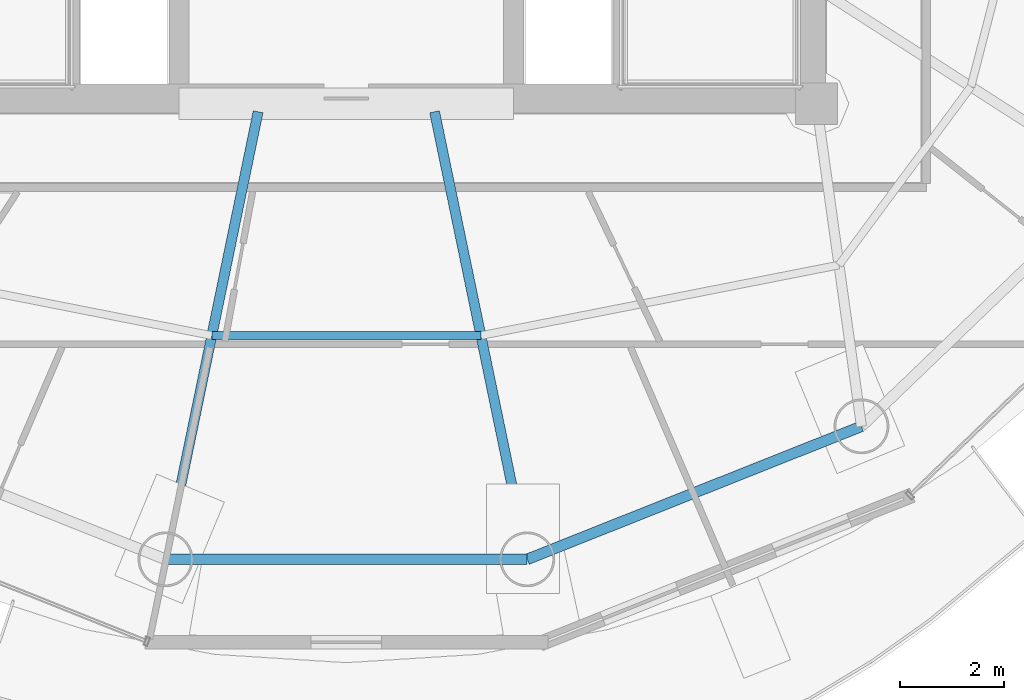
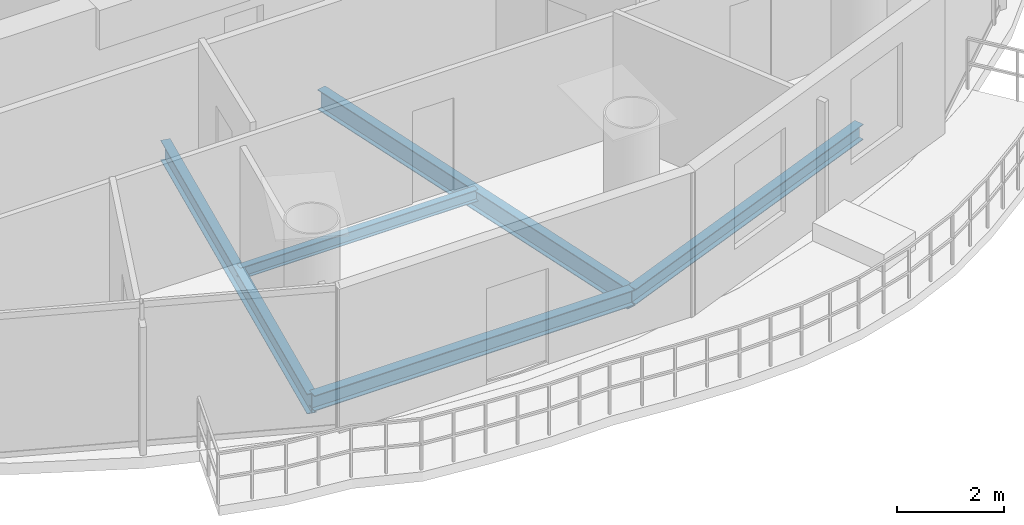
# One storey, part 5 of 23: 5 beams.
"""IFC4 building model written with IfcOpenShell, lengths in metres."""

from ifc_helpers import new_model, si_unit, direction, frame, origin, origin_2d, place, context, subcontext, project, spatial, i_section, extrude, material, material_profile, profile_set, type_object, element, save


model = new_model("IFC4")

# Units and contexts
model_context = context("Model", 3, precision=1e-05, world=origin(), true_north=direction((-0.2419218956, 0.970295726276)))
body_context = subcontext(model_context, "Body", "Model", "MODEL_VIEW")
ifc_project = project(units=[si_unit("LENGTHUNIT", "METRE"), si_unit("AREAUNIT", "SQUARE_METRE"), si_unit("VOLUMEUNIT", "CUBIC_METRE"), si_unit("PLANEANGLEUNIT", "RADIAN"), si_unit("MASSUNIT", "GRAM", prefix="KILO")], contexts=[model_context])

# Site, building, storey
site_placement = place(None, origin())
site = spatial("IfcSite", under=ifc_project, at=site_placement, CompositionType="ELEMENT")
building_placement = place(site_placement, origin())
building = spatial("IfcBuilding", under=site, at=building_placement, Name="Cobrevalo Terracotta Tower", CompositionType="ELEMENT")
storey_placement = place(building_placement, frame((0.0, 0.0, 296.949951171875)))
storey = spatial("IfcBuildingStorey", under=building, at=storey_placement, Name="L78", CompositionType="ELEMENT", Elevation=296.949951171875)

# Beams
ifc_material = material(Name="Steel S355", Category="steel")
ifc_material_profile_1 = material_profile(ifc_material, i_section(OverallWidth=0.19091796875, OverallDepth=0.4599609375, WebThickness=0.010009765625, FlangeThickness=0.01611328125, at=origin_2d()), Name="W 460x82")
ifc_profile_set_1 = profile_set([ifc_material_profile_1], Name="Steel S355")
beam_type_1 = type_object("IfcBeamType", Name="Structural Beam W 460x82 (Steel S355)", PredefinedType="BEAM", material=ifc_profile_set_1)
for number, where, z_axis, x_axis, name in (
    (1, (34.537109375, 10.07763671875, -0.489990234375), (0.202781841237, 0.9792239401, 0.0), (-0.9792239401, 0.202781841237, 0.0), "L78 radial floor girder 12"),
    (2, (41.462890625, 10.07763671875, -0.489990234375), (-0.202781841237, 0.9792239401, 0.0), (-0.9792239401, -0.202781841237, 0.0), "L78 radial floor girder 13"),
):
    element("IfcBeam", number, at=place(storey_placement, frame(where, z_axis=z_axis, x_axis=x_axis)), inside=storey, type_object=beam_type_1, Name=name, PredefinedType="BEAM", context=body_context, shape_type="SweptSolid", body=[
        extrude(i_section(OverallWidth=0.19091796875, OverallDepth=0.4599609375, WebThickness=0.010009765625, FlangeThickness=0.01611328125, at=origin_2d()), origin(), (0.0, 0.0, 1.0), 8.749267578125),
    ])
ifc_material_profile_2 = material_profile(ifc_material, i_section(OverallWidth=0.14794921875, OverallDepth=0.26611328125, WebThickness=0.007568359375, FlangeThickness=0.012939453125, at=origin_2d()), Name="W 250x44.8")
ifc_profile_set_2 = profile_set([ifc_material_profile_2], Name="Steel S355")
beam_type_2 = type_object("IfcBeamType", Name="Structural Joist W 250x44.8 (Steel S355)", PredefinedType="JOIST", material=ifc_profile_set_2)
beam_1_placement = place(storey_placement, frame((35.42431640625, 14.361328125, -0.39306640625), z_axis=(1.0, 0.0, 0.0), x_axis=(0.0, 1.0, 0.0)))
element("IfcBeam", 3, at=beam_1_placement, inside=storey, type_object=beam_type_2, Name="L78 circumferential secondary floor joist 12", PredefinedType="JOIST", context=body_context, shape_type="SweptSolid", body=[
    extrude(i_section(OverallWidth=0.14794921875, OverallDepth=0.26611328125, WebThickness=0.007568359375, FlangeThickness=0.012939453125, at=origin_2d()), origin(), (0.0, 0.0, 1.0), 5.1513671875),
])
ifc_material_profile_3 = material_profile(ifc_material, i_section(OverallWidth=0.205078125, OverallDepth=0.35400390625, WebThickness=0.009521484375, FlangeThickness=0.016845703125, at=origin_2d()), Name="W 360x79")
ifc_profile_set_3 = profile_set([ifc_material_profile_3], Name="Steel S355")
beam_type_3 = type_object("IfcBeamType", Name="Structural Spandrel W 360x79 (Steel S355)", PredefinedType="SPANDREL", material=ifc_profile_set_3)
beam_2_placement = place(storey_placement, frame((34.537109375, 10.07763671875, -0.43701171875), z_axis=(1.0, 0.0, 0.0), x_axis=(0.0, 1.0, 0.0)))
element("IfcBeam", 4, at=beam_2_placement, inside=storey, type_object=beam_type_3, Name="L78 perimeter ring spandrel 12", PredefinedType="SPANDREL", context=body_context, shape_type="SweptSolid", body=[
    extrude(i_section(OverallWidth=0.205078125, OverallDepth=0.35400390625, WebThickness=0.009521484375, FlangeThickness=0.016845703125, at=origin_2d()), origin(), (0.0, 0.0, 1.0), 6.92578125),
])
beam_3_placement = place(storey_placement, frame((41.462890625, 10.07763671875, -0.43701171875), z_axis=(0.929149986048, 0.369702993533, 0.0), x_axis=(-0.369702993533, 0.929149986048, 0.0)))
element("IfcBeam", 5, at=beam_3_placement, inside=storey, type_object=beam_type_3, Name="L78 perimeter ring spandrel 13", PredefinedType="SPANDREL", context=body_context, shape_type="SweptSolid", body=[
    extrude(i_section(OverallWidth=0.205078125, OverallDepth=0.35400390625, WebThickness=0.009521484375, FlangeThickness=0.016845703125, at=origin_2d()), origin(), (0.0, 0.0, 1.0), 6.88623046875),
])

save(model, "model.ifc")
